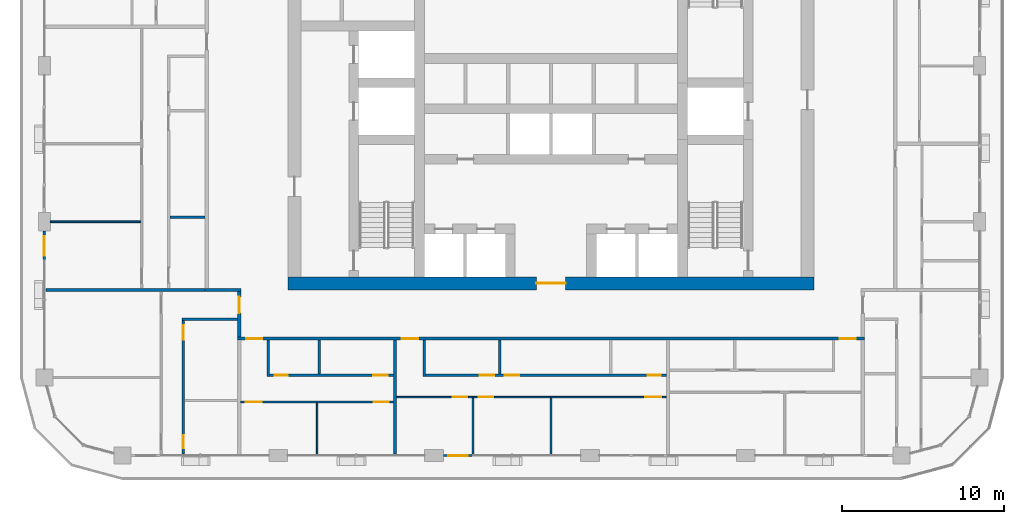
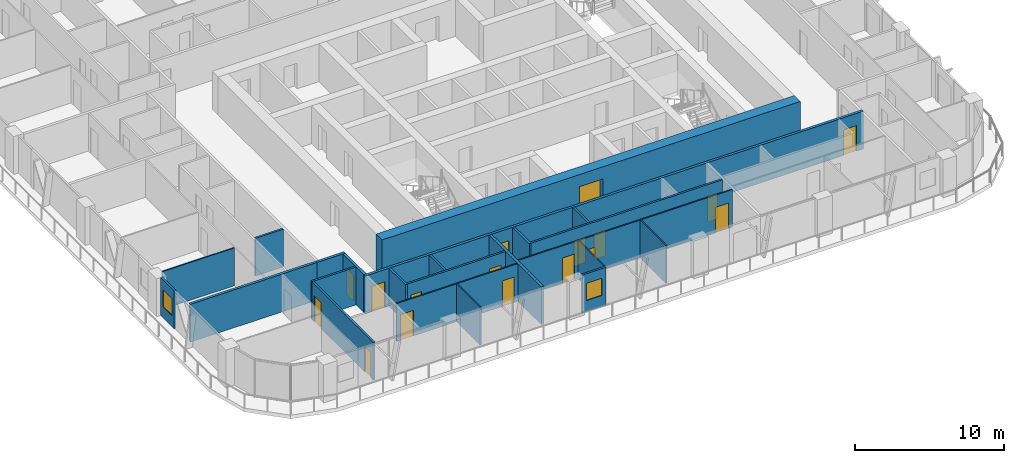
# One storey, part 9 of 22: 23 walls, 17 doors, 2 windows, 19 openings.
"""IFC4 building model written with IfcOpenShell, lengths in metres."""

from ifc_helpers import new_model, si_unit, direction, frame, frame_2d, origin, place, context, subcontext, project, spatial, rectangle, extrude, material, layer, layer_set, type_object, element, fill, save


model = new_model("IFC4")

# Units and contexts
model_context = context("Model", 3, precision=1e-05, world=origin(), true_north=direction((0.0, 1.0)))
body_context = subcontext(model_context, "Body", "Model", "MODEL_VIEW")
ifc_project = project(units=[si_unit("LENGTHUNIT", "METRE"), si_unit("AREAUNIT", "SQUARE_METRE"), si_unit("VOLUMEUNIT", "CUBIC_METRE"), si_unit("PLANEANGLEUNIT", "RADIAN"), si_unit("MASSUNIT", "GRAM", prefix="KILO")], contexts=[model_context])

# Site, building, storey
site_placement = place(None, origin())
site = spatial("IfcSite", under=ifc_project, at=site_placement, CompositionType="ELEMENT")
building_placement = place(site_placement, origin())
building = spatial("IfcBuilding", under=site, at=building_placement, Name="Madar Terraces", CompositionType="ELEMENT")
storey_placement = place(building_placement, frame((0.0, 0.0, 140.10009765625)))
storey = spatial("IfcBuildingStorey", under=building, at=storey_placement, Name="L36", CompositionType="ELEMENT", Elevation=140.10009765625)

# Wall, opening, door
ifc_material_1 = material(Name="Concrete C70/85", Category="concrete")
ifc_layer_1 = layer(ifc_material_1, 0.800048828125)
ifc_layer_set_1 = layer_set([ifc_layer_1], Name="Concrete C70/85 (CRW3 RC wall 800)")
wall_type_1 = type_object("IfcWallType", Name="CRW3 RC wall 800", PredefinedType="SHEAR", material=ifc_layer_set_1)
wall_1_placement = place(storey_placement, frame((15.0, 15.39990234375, 0.0), z_axis=(0.0, 0.0, 1.0), x_axis=(1.0, 0.0, 0.0)))
wall_1 = element("IfcWall", 1, at=wall_1_placement, inside=storey, type_object=wall_type_1, Name="CORE OUTER WALL", PredefinedType="SHEAR", context=body_context, shape_type="SweptSolid", body=[
    extrude(rectangle(XDim=32.39990234375, YDim=0.800048828125, at=frame_2d((16.199951171875, 0.0))), origin(), (0.0, 0.0, 1.0), 3.099853515625),
])
opening_1_placement = place(wall_1_placement, frame((15.300048828125, 0.0, 0.0)))
opening_1 = element("IfcOpeningElement", 2, at=opening_1_placement, cuts=wall_1, Name="Opening KD1", PredefinedType="OPENING", context=body_context, shape_type="SweptSolid", body=[
    extrude(rectangle(XDim=1.800048828125, YDim=2.10009765625, at=frame_2d((0.89990234375, 1.050048828125))), frame((0.0, 0.409912109375, 0.0), z_axis=(0.0, -1.0, 0.0), x_axis=(1.0, 0.0, 0.0)), (0.0, 0.0, 1.0), 0.820068359375),
])
ifc_material_2 = material(Name="Steel door leaf", Category="steel")
door_type_1 = type_object("IfcDoorType", Name="Lobby door pair 1800 x 2100", OperationType="DOUBLE_DOOR_SINGLE_SWING", PredefinedType="DOOR", material=ifc_material_2)
door_1_placement = place(opening_1_placement, frame((1.800048828125, 0.0, 0.0), z_axis=(0.0, 0.0, 1.0), x_axis=(-1.0, 0.0, 0.0)))
door_1 = element("IfcDoor", 3, at=door_1_placement, inside=storey, type_object=door_type_1, Name="LIFT LOBBY DOOR", OperationType="DOUBLE_DOOR_SINGLE_SWING", OverallHeight=2.10009765625, OverallWidth=1.800048828125, PredefinedType="DOOR", context=body_context, shape_type="SweptSolid", body=[
    extrude(rectangle(XDim=1.800048828125, YDim=2.10009765625, at=frame_2d((0.89990234375, 1.050048828125))), frame((0.0, 0.02490234375, 0.0), z_axis=(0.0, -1.0, 0.0), x_axis=(1.0, 0.0, 0.0)), (0.0, 0.0, 1.0), 0.050048828125),
])
fill(opening_1, door_1)

# Wall, opening, window
ifc_material_3 = material(Name="Aluminium composite panel, black, over insulated backing", Category="aluminium")
ifc_layer_2 = layer(ifc_material_3, 0.14990234375)
ifc_layer_set_2 = layer_set([ifc_layer_2], Name="Facade bay panel 150")
wall_type_2 = type_object("IfcWallType", Name="Facade bay panel 150", PredefinedType="SOLIDWALL", material=ifc_layer_set_2)
wall_2_placement = place(storey_placement, frame((24.574951171875, 4.800048828125, 0.0), z_axis=(0.0, 0.0, 1.0), x_axis=(1.0, 0.0, 0.0)))
wall_2 = element("IfcWall", 4, at=wall_2_placement, inside=storey, type_object=wall_type_2, Name="Facade bay panel", PredefinedType="SOLIDWALL", context=body_context, shape_type="SweptSolid", body=[
    extrude(rectangle(XDim=1.824951171875, YDim=0.14990234375, at=frame_2d((0.91259765625, 0.0))), origin(), (0.0, 0.0, 1.0), 3.099853515625),
])
opening_2_placement = place(wall_2_placement, frame((0.3125, 0.0, 0.89990234375)))
opening_2 = element("IfcOpeningElement", 5, at=opening_2_placement, cuts=wall_2, Name="Opening W1", PredefinedType="OPENING", context=body_context, shape_type="SweptSolid", body=[
    extrude(rectangle(XDim=1.199951171875, YDim=1.39990234375, at=frame_2d((0.60009765625, 0.699951171875))), frame((0.0, 0.0849609375, 0.0), z_axis=(0.0, -1.0, 0.0), x_axis=(1.0, 0.0, 0.0)), (0.0, 0.0, 1.0), 0.169921875),
])
ifc_material_4 = material(Name="Glass, clear, with black aluminium frame", Category="aluminium")
window_type = type_object("IfcWindowType", Name="Vent window 1200 x 1400", PartitioningType="SINGLE_PANEL", PredefinedType="WINDOW", material=ifc_material_4)
window_1_placement = place(opening_2_placement, origin())
window_1 = element("IfcWindow", 6, at=window_1_placement, inside=storey, type_object=window_type, Name="Operable vent window", OverallHeight=1.39990234375, OverallWidth=1.199951171875, PartitioningType="SINGLE_PANEL", PredefinedType="WINDOW", context=body_context, shape_type="SweptSolid", body=[
    extrude(rectangle(XDim=1.199951171875, YDim=1.39990234375, at=frame_2d((0.60009765625, 0.699951171875))), frame((0.0, 0.030029296875, 0.0), z_axis=(0.0, -1.0, 0.0), x_axis=(1.0, 0.0, 0.0)), (0.0, 0.0, 1.0), 0.06005859375),
])
fill(opening_2, window_1)

wall_3_placement = place(storey_placement, frame((0.0, 18.625, 0.0), z_axis=(0.0, 0.0, 1.0), x_axis=(0.0, -1.0, 0.0)))
wall_3 = element("IfcWall", 7, at=wall_3_placement, inside=storey, type_object=wall_type_2, Name="Facade bay panel", PredefinedType="SOLIDWALL", context=body_context, shape_type="SweptSolid", body=[
    extrude(rectangle(XDim=1.824951171875, YDim=0.14990234375, at=frame_2d((0.91259765625, 0.0))), origin(), (0.0, 0.0, 1.0), 3.099853515625),
])
opening_3_placement = place(wall_3_placement, frame((0.3125, 0.0, 0.89990234375)))
opening_3 = element("IfcOpeningElement", 8, at=opening_3_placement, cuts=wall_3, Name="Opening W1", PredefinedType="OPENING", context=body_context, shape_type="SweptSolid", body=[
    extrude(rectangle(XDim=1.199951171875, YDim=1.39990234375, at=frame_2d((0.60009765625, 0.699951171875))), frame((0.0, 0.0849609375, 0.0), z_axis=(0.0, -1.0, 0.0), x_axis=(1.0, 0.0, 0.0)), (0.0, 0.0, 1.0), 0.169921875),
])
window_2_placement = place(opening_3_placement, origin())
window_2 = element("IfcWindow", 9, at=window_2_placement, inside=storey, type_object=window_type, Name="Operable vent window", OverallHeight=1.39990234375, OverallWidth=1.199951171875, PartitioningType="SINGLE_PANEL", PredefinedType="WINDOW", context=body_context, shape_type="SweptSolid", body=[
    extrude(rectangle(XDim=1.199951171875, YDim=1.39990234375, at=frame_2d((0.60009765625, 0.699951171875))), frame((0.0, 0.030029296875, 0.0), z_axis=(0.0, -1.0, 0.0), x_axis=(1.0, 0.0, 0.0)), (0.0, 0.0, 1.0), 0.06005859375),
])
fill(opening_3, window_2)

# Wall
ifc_material_5 = material(Name="Gypsum board on steel studs", Category="steel")
ifc_layer_3 = layer(ifc_material_5, 0.10009765625)
ifc_layer_set_3 = layer_set([ifc_layer_3], Name="Flat partition 100")
wall_type_3 = type_object("IfcWallType", Name="Flat partition 100", PredefinedType="PARTITIONING", material=ifc_layer_set_3)
wall_4_placement = place(storey_placement, frame((16.800048828125, 8.050048828125, 0.0), z_axis=(0.0, 0.0, 1.0), x_axis=(0.0, -1.0, 0.0)))
element("IfcWall", 10, at=wall_4_placement, inside=storey, type_object=wall_type_3, Name="Flat partition 100", PredefinedType="PARTITIONING", context=body_context, shape_type="SweptSolid", body=[
    extrude(rectangle(XDim=3.150146484375, YDim=0.10009765625, at=frame_2d((1.5751953125, 0.0))), origin(), (0.0, 0.0, 1.0), 3.099853515625),
])

# Wall, openings, doors
wall_5_placement = place(storey_placement, frame((21.5, 8.10009765625, 0.0), z_axis=(0.0, 0.0, 1.0), x_axis=(-1.0, 0.0, 0.0)))
wall_5 = element("IfcWall", 11, at=wall_5_placement, inside=storey, type_object=wall_type_3, Name="Flat partition 100", PredefinedType="PARTITIONING", context=body_context, shape_type="SweptSolid", body=[
    extrude(rectangle(XDim=9.39990234375, YDim=0.10009765625, at=frame_2d((4.699951171875, 0.0))), origin(), (0.0, 0.0, 1.0), 3.099853515625),
])
opening_4_placement = place(wall_5_placement, frame((8.10009765625, 0.0, 0.0)))
opening_4 = element("IfcOpeningElement", 12, at=opening_4_placement, cuts=wall_5, Name="Opening D3", PredefinedType="OPENING", context=body_context, shape_type="SweptSolid", body=[
    extrude(rectangle(XDim=1.0, YDim=2.10009765625, at=frame_2d((0.5, 1.050048828125))), frame((0.0, 0.06005859375, 0.0), z_axis=(0.0, -1.0, 0.0), x_axis=(1.0, 0.0, 0.0)), (0.0, 0.0, 1.0), 0.1201171875),
])
opening_5_placement = place(wall_5_placement, frame((0.300048828125, 0.0, 0.0)))
opening_5 = element("IfcOpeningElement", 13, at=opening_5_placement, cuts=wall_5, Name="Opening D2", PredefinedType="OPENING", context=body_context, shape_type="SweptSolid", body=[
    extrude(rectangle(XDim=0.89990234375, YDim=2.10009765625, at=frame_2d((0.449951171875, 1.050048828125))), frame((0.0, 0.06005859375, 0.0), z_axis=(0.0, -1.0, 0.0), x_axis=(1.0, 0.0, 0.0)), (0.0, 0.0, 1.0), 0.1201171875),
])
ifc_material_6 = material(Name="Timber door leaf", Category="wood")
door_type_2 = type_object("IfcDoorType", Name="Flat living room door 1000", OperationType="NOTDEFINED", PredefinedType="DOOR", material=ifc_material_6)
door_2_placement = place(opening_4_placement, origin())
door_2 = element("IfcDoor", 14, at=door_2_placement, inside=storey, type_object=door_type_2, Name="Flat living room door 1000", OperationType="SINGLE_SWING_RIGHT", OverallHeight=2.10009765625, OverallWidth=1.0, PredefinedType="DOOR", context=body_context, shape_type="SweptSolid", body=[
    extrude(rectangle(XDim=1.0, YDim=2.10009765625, at=frame_2d((0.5, 1.050048828125))), frame((0.0, 0.02490234375, 0.0), z_axis=(0.0, -1.0, 0.0), x_axis=(1.0, 0.0, 0.0)), (0.0, 0.0, 1.0), 0.050048828125),
])
fill(opening_4, door_2)
ifc_material_7 = material(Name="Timber door leaf", Category="wood")
door_type_3 = type_object("IfcDoorType", Name="Flat room door 900", OperationType="NOTDEFINED", PredefinedType="DOOR", material=ifc_material_7)
door_3_placement = place(opening_5_placement, origin())
door_3 = element("IfcDoor", 15, at=door_3_placement, inside=storey, type_object=door_type_3, Name="Flat room door 900", OperationType="SINGLE_SWING_LEFT", OverallHeight=2.10009765625, OverallWidth=0.89990234375, PredefinedType="DOOR", context=body_context, shape_type="SweptSolid", body=[
    extrude(rectangle(XDim=0.89990234375, YDim=2.10009765625, at=frame_2d((0.449951171875, 1.050048828125))), frame((0.0, 0.02490234375, 0.0), z_axis=(0.0, -1.0, 0.0), x_axis=(1.0, 0.0, 0.0)), (0.0, 0.0, 1.0), 0.050048828125),
])
fill(opening_5, door_3)

# Walls
for number, where, z_axis, x_axis, name in (
    (16, (26.39990234375, 8.35009765625, 0.0), (0.0, 0.0, 1.0), (0.0, -1.0, 0.0), "Flat partition 100"),
    (17, (31.199951171875, 8.35009765625, 0.0), (0.0, 0.0, 1.0), (0.0, -1.0, 0.0), "Flat partition 100"),
):
    element("IfcWall", number, at=place(storey_placement, frame(where, z_axis=z_axis, x_axis=x_axis)), inside=storey, type_object=wall_type_3, Name=name, PredefinedType="PARTITIONING", context=body_context, shape_type="SweptSolid", body=[
        extrude(rectangle(XDim=3.4501953125, YDim=0.10009765625, at=frame_2d((1.72509765625, 0.0))), origin(), (0.0, 0.0, 1.0), 3.099853515625),
    ])

# Wall, openings, doors
wall_6_placement = place(storey_placement, frame((38.300048828125, 8.39990234375, 0.0), z_axis=(0.0, 0.0, 1.0), x_axis=(-1.0, 0.0, 0.0)))
wall_6 = element("IfcWall", 18, at=wall_6_placement, inside=storey, type_object=wall_type_3, Name="Flat partition 100", PredefinedType="PARTITIONING", context=body_context, shape_type="SweptSolid", body=[
    extrude(rectangle(XDim=16.60009765625, YDim=0.10009765625, at=frame_2d((8.300048828125, 0.0))), origin(), (0.0, 0.0, 1.0), 3.099853515625),
])
opening_6_placement = place(wall_6_placement, frame((12.25, 0.0, 0.0)))
opening_6 = element("IfcOpeningElement", 19, at=opening_6_placement, cuts=wall_6, Name="Opening D2", PredefinedType="OPENING", context=body_context, shape_type="SweptSolid", body=[
    extrude(rectangle(XDim=0.89990234375, YDim=2.10009765625, at=frame_2d((0.449951171875, 1.050048828125))), frame((0.0, 0.06005859375, 0.0), z_axis=(0.0, -1.0, 0.0), x_axis=(1.0, 0.0, 0.0)), (0.0, 0.0, 1.0), 0.1201171875),
])
opening_7_placement = place(wall_6_placement, frame((10.64990234375, 0.0, 0.0)))
opening_7 = element("IfcOpeningElement", 20, at=opening_7_placement, cuts=wall_6, Name="Opening D2", PredefinedType="OPENING", context=body_context, shape_type="SweptSolid", body=[
    extrude(rectangle(XDim=0.89990234375, YDim=2.10009765625, at=frame_2d((0.449951171875, 1.050048828125))), frame((0.0, 0.06005859375, 0.0), z_axis=(0.0, -1.0, 0.0), x_axis=(1.0, 0.0, 0.0)), (0.0, 0.0, 1.0), 0.1201171875),
])
opening_8_placement = place(wall_6_placement, frame((0.300048828125, 0.0, 0.0)))
opening_8 = element("IfcOpeningElement", 21, at=opening_8_placement, cuts=wall_6, Name="Opening D3", PredefinedType="OPENING", context=body_context, shape_type="SweptSolid", body=[
    extrude(rectangle(XDim=1.0, YDim=2.10009765625, at=frame_2d((0.5, 1.050048828125))), frame((0.0, 0.06005859375, 0.0), z_axis=(0.0, -1.0, 0.0), x_axis=(1.0, 0.0, 0.0)), (0.0, 0.0, 1.0), 0.1201171875),
])
door_4_placement = place(opening_8_placement, origin())
door_4 = element("IfcDoor", 22, at=door_4_placement, inside=storey, type_object=door_type_2, Name="Flat living room door 1000", OperationType="SINGLE_SWING_LEFT", OverallHeight=2.10009765625, OverallWidth=1.0, PredefinedType="DOOR", context=body_context, shape_type="SweptSolid", body=[
    extrude(rectangle(XDim=1.0, YDim=2.10009765625, at=frame_2d((0.5, 1.050048828125))), frame((0.0, 0.02490234375, 0.0), z_axis=(0.0, -1.0, 0.0), x_axis=(1.0, 0.0, 0.0)), (0.0, 0.0, 1.0), 0.050048828125),
])
fill(opening_8, door_4)
door_5_placement = place(opening_6_placement, origin())
door_5 = element("IfcDoor", 23, at=door_5_placement, inside=storey, type_object=door_type_3, Name="Flat room door 900", OperationType="SINGLE_SWING_LEFT", OverallHeight=2.10009765625, OverallWidth=0.89990234375, PredefinedType="DOOR", context=body_context, shape_type="SweptSolid", body=[
    extrude(rectangle(XDim=0.89990234375, YDim=2.10009765625, at=frame_2d((0.449951171875, 1.050048828125))), frame((0.0, 0.02490234375, 0.0), z_axis=(0.0, -1.0, 0.0), x_axis=(1.0, 0.0, 0.0)), (0.0, 0.0, 1.0), 0.050048828125),
])
fill(opening_6, door_5)
door_6_placement = place(opening_7_placement, origin())
door_6 = element("IfcDoor", 24, at=door_6_placement, inside=storey, type_object=door_type_3, Name="Flat room door 900", OperationType="SINGLE_SWING_RIGHT", OverallHeight=2.10009765625, OverallWidth=0.89990234375, PredefinedType="DOOR", context=body_context, shape_type="SweptSolid", body=[
    extrude(rectangle(XDim=0.89990234375, YDim=2.10009765625, at=frame_2d((0.449951171875, 1.050048828125))), frame((0.0, 0.02490234375, 0.0), z_axis=(0.0, -1.0, 0.0), x_axis=(1.0, 0.0, 0.0)), (0.0, 0.0, 1.0), 0.050048828125),
])
fill(opening_7, door_6)

# Wall
wall_7_placement = place(storey_placement, frame((5.949951171875, 19.199951171875, 0.0), z_axis=(0.0, 0.0, 1.0), x_axis=(-1.0, 0.0, 0.0)))
element("IfcWall", 25, at=wall_7_placement, inside=storey, type_object=wall_type_3, Name="Flat partition 100", PredefinedType="PARTITIONING", context=body_context, shape_type="SweptSolid", body=[
    extrude(rectangle(XDim=5.574951171875, YDim=0.10009765625, at=frame_2d((2.78759765625, 0.0))), origin(), (0.0, 0.0, 1.0), 3.099853515625),
])

# Wall, openings, doors
ifc_material_8 = material(Name="Lightweight blockwork", Category="masonry")
ifc_layer_4 = layer(ifc_material_8, 0.199951171875)
ifc_layer_set_4 = layer_set([ifc_layer_4], Name="Flat party and entrance wall 200")
wall_type_4 = type_object("IfcWallType", Name="Flat party and entrance wall 200", PredefinedType="PARTITIONING", material=ifc_layer_set_4)
wall_8_placement = place(storey_placement, frame((50.5, 12.0, 0.0), z_axis=(0.0, 0.0, 1.0), x_axis=(-1.0, 0.0, 0.0)))
wall_8 = element("IfcWall", 26, at=wall_8_placement, inside=storey, type_object=wall_type_4, Name="Flat party and entrance wall 200", PredefinedType="PARTITIONING", context=body_context, shape_type="SweptSolid", body=[
    extrude(rectangle(XDim=38.60009765625, YDim=0.199951171875, at=frame_2d((19.300048828125, 0.0))), origin(), (0.0, 0.0, 1.0), 3.099853515625),
])
opening_9_placement = place(wall_8_placement, frame((37.074951171875, 0.0, 0.0)))
opening_9 = element("IfcOpeningElement", 27, at=opening_9_placement, cuts=wall_8, Name="Opening D1", PredefinedType="OPENING", context=body_context, shape_type="SweptSolid", body=[
    extrude(rectangle(XDim=1.0, YDim=2.10009765625, at=frame_2d((0.5, 1.050048828125))), frame((0.0, 0.10986328125, 0.0), z_axis=(0.0, -1.0, 0.0), x_axis=(1.0, 0.0, 0.0)), (0.0, 0.0, 1.0), 0.219970703125),
])
opening_10_placement = place(wall_8_placement, frame((27.47509765625, 0.0, 0.0)))
opening_10 = element("IfcOpeningElement", 28, at=opening_10_placement, cuts=wall_8, Name="Opening D1", PredefinedType="OPENING", context=body_context, shape_type="SweptSolid", body=[
    extrude(rectangle(XDim=1.0, YDim=2.10009765625, at=frame_2d((0.5, 1.050048828125))), frame((0.0, 0.10986328125, 0.0), z_axis=(0.0, -1.0, 0.0), x_axis=(1.0, 0.0, 0.0)), (0.0, 0.0, 1.0), 0.219970703125),
])
opening_11_placement = place(wall_8_placement, frame((0.52490234375, 0.0, 0.0)))
opening_11 = element("IfcOpeningElement", 29, at=opening_11_placement, cuts=wall_8, Name="Opening D1", PredefinedType="OPENING", context=body_context, shape_type="SweptSolid", body=[
    extrude(rectangle(XDim=1.0, YDim=2.10009765625, at=frame_2d((0.5, 1.050048828125))), frame((0.0, 0.10986328125, 0.0), z_axis=(0.0, -1.0, 0.0), x_axis=(1.0, 0.0, 0.0)), (0.0, 0.0, 1.0), 0.219970703125),
])
ifc_material_9 = material(Name="Timber fire door leaf", Category="wood")
door_type_4 = type_object("IfcDoorType", Name="Flat entrance door 1000 FD30S", OperationType="NOTDEFINED", PredefinedType="DOOR", material=ifc_material_9)
door_7_placement = place(opening_9_placement, origin())
door_7 = element("IfcDoor", 30, at=door_7_placement, inside=storey, type_object=door_type_4, Name="Flat entrance door 1000 FD30S", OperationType="SINGLE_SWING_RIGHT", OverallHeight=2.10009765625, OverallWidth=1.0, PredefinedType="DOOR", context=body_context, shape_type="SweptSolid", body=[
    extrude(rectangle(XDim=1.0, YDim=2.10009765625, at=frame_2d((0.5, 1.050048828125))), frame((0.0, 0.02490234375, 0.0), z_axis=(0.0, -1.0, 0.0), x_axis=(1.0, 0.0, 0.0)), (0.0, 0.0, 1.0), 0.050048828125),
])
fill(opening_9, door_7)
door_8_placement = place(opening_10_placement, origin())
door_8 = element("IfcDoor", 31, at=door_8_placement, inside=storey, type_object=door_type_4, Name="Flat entrance door 1000 FD30S", OperationType="SINGLE_SWING_RIGHT", OverallHeight=2.10009765625, OverallWidth=1.0, PredefinedType="DOOR", context=body_context, shape_type="SweptSolid", body=[
    extrude(rectangle(XDim=1.0, YDim=2.10009765625, at=frame_2d((0.5, 1.050048828125))), frame((0.0, 0.02490234375, 0.0), z_axis=(0.0, -1.0, 0.0), x_axis=(1.0, 0.0, 0.0)), (0.0, 0.0, 1.0), 0.050048828125),
])
fill(opening_10, door_8)
door_9_placement = place(opening_11_placement, origin())
door_9 = element("IfcDoor", 32, at=door_9_placement, inside=storey, type_object=door_type_4, Name="Flat entrance door 1000 FD30S", OperationType="SINGLE_SWING_LEFT", OverallHeight=2.10009765625, OverallWidth=1.0, PredefinedType="DOOR", context=body_context, shape_type="SweptSolid", body=[
    extrude(rectangle(XDim=1.0, YDim=2.10009765625, at=frame_2d((0.5, 1.050048828125))), frame((0.0, 0.02490234375, 0.0), z_axis=(0.0, -1.0, 0.0), x_axis=(1.0, 0.0, 0.0)), (0.0, 0.0, 1.0), 0.050048828125),
])
fill(opening_11, door_9)

# Wall
wall_9_placement = place(storey_placement, frame((9.89990234375, 15.0, 0.0), z_axis=(0.0, 0.0, 1.0), x_axis=(1.0, 0.0, 0.0)))
element("IfcWall", 33, at=wall_9_placement, inside=storey, type_object=wall_type_4, Name="Flat party and entrance wall 200", PredefinedType="PARTITIONING", context=body_context, shape_type="SweptSolid", body=[
    extrude(rectangle(XDim=2.2001953125, YDim=0.199951171875, at=frame_2d((1.10009765625, 0.0))), origin(), (0.0, 0.0, 1.0), 3.099853515625),
])

# Wall, opening, door
wall_10_placement = place(storey_placement, frame((12.0, 12.10009765625, 0.0), z_axis=(0.0, 0.0, 1.0), x_axis=(0.0, 1.0, 0.0)))
wall_10 = element("IfcWall", 34, at=wall_10_placement, inside=storey, type_object=wall_type_4, Name="Flat party and entrance wall 200", PredefinedType="PARTITIONING", context=body_context, shape_type="SweptSolid", body=[
    extrude(rectangle(XDim=2.7998046875, YDim=0.199951171875, at=frame_2d((1.39990234375, 0.0))), origin(), (0.0, 0.0, 1.0), 3.099853515625),
])
opening_12_placement = place(wall_10_placement, frame((1.47509765625, 0.0, 0.0)))
opening_12 = element("IfcOpeningElement", 35, at=opening_12_placement, cuts=wall_10, Name="Opening D1", PredefinedType="OPENING", context=body_context, shape_type="SweptSolid", body=[
    extrude(rectangle(XDim=1.0, YDim=2.10009765625, at=frame_2d((0.5, 1.050048828125))), frame((0.0, 0.10986328125, 0.0), z_axis=(0.0, -1.0, 0.0), x_axis=(1.0, 0.0, 0.0)), (0.0, 0.0, 1.0), 0.219970703125),
])
door_10_placement = place(opening_12_placement, origin())
door_10 = element("IfcDoor", 36, at=door_10_placement, inside=storey, type_object=door_type_4, Name="Flat entrance door 1000 FD30S", OperationType="SINGLE_SWING_RIGHT", OverallHeight=2.10009765625, OverallWidth=1.0, PredefinedType="DOOR", context=body_context, shape_type="SweptSolid", body=[
    extrude(rectangle(XDim=1.0, YDim=2.10009765625, at=frame_2d((0.5, 1.050048828125))), frame((0.0, 0.02490234375, 0.0), z_axis=(0.0, -1.0, 0.0), x_axis=(1.0, 0.0, 0.0)), (0.0, 0.0, 1.0), 0.050048828125),
])
fill(opening_12, door_10)

# Walls
wall_11_placement = place(storey_placement, frame((21.60009765625, 11.89990234375, 0.0), z_axis=(0.0, 0.0, 1.0), x_axis=(0.0, -1.0, 0.0)))
element("IfcWall", 37, at=wall_11_placement, inside=storey, type_object=wall_type_4, Name="Flat party and entrance wall 200", PredefinedType="PARTITIONING", context=body_context, shape_type="SweptSolid", body=[
    extrude(rectangle(XDim=7.0, YDim=0.199951171875, at=frame_2d((3.5, 0.0))), origin(), (0.0, 0.0, 1.0), 3.099853515625),
])
wall_12_placement = place(storey_placement, frame((0.10009765625, 15.0, 0.0), z_axis=(0.0, 0.0, 1.0), x_axis=(1.0, 0.0, 0.0)))
element("IfcWall", 38, at=wall_12_placement, inside=storey, type_object=wall_type_4, Name="Flat party and entrance wall 200", PredefinedType="PARTITIONING", context=body_context, shape_type="SweptSolid", body=[
    extrude(rectangle(XDim=9.7998046875, YDim=0.199951171875, at=frame_2d((4.89990234375, 0.0))), origin(), (0.0, 0.0, 1.0), 3.099853515625),
])
ifc_material_10 = material(Name="Lightweight blockwork", Category="masonry")
ifc_layer_5 = layer(ifc_material_10, 0.14990234375)
ifc_layer_set_5 = layer_set([ifc_layer_5], Name="Flat wet-room partition 150")
wall_type_5 = type_object("IfcWallType", Name="Flat wet-room partition 150", PredefinedType="PARTITIONING", material=ifc_layer_set_5)
wall_13_placement = place(storey_placement, frame((16.925048828125, 11.89990234375, 0.0), z_axis=(0.0, 0.0, 1.0), x_axis=(0.0, -1.0, 0.0)))
element("IfcWall", 39, at=wall_13_placement, inside=storey, type_object=wall_type_5, Name="Flat wet-room partition 150", PredefinedType="PARTITIONING", context=body_context, shape_type="SweptSolid", body=[
    extrude(rectangle(XDim=2.074951171875, YDim=0.14990234375, at=frame_2d((1.03759765625, 0.0))), origin(), (0.0, 0.0, 1.0), 3.099853515625),
])
wall_14_placement = place(storey_placement, frame((13.800048828125, 11.89990234375, 0.0), z_axis=(0.0, 0.0, 1.0), x_axis=(0.0, -1.0, 0.0)))
element("IfcWall", 40, at=wall_14_placement, inside=storey, type_object=wall_type_5, Name="Flat wet-room partition 150", PredefinedType="PARTITIONING", context=body_context, shape_type="SweptSolid", body=[
    extrude(rectangle(XDim=2.224853515625, YDim=0.14990234375, at=frame_2d((1.1123046875, 0.0))), origin(), (0.0, 0.0, 1.0), 3.099853515625),
])

# Wall, openings, doors
wall_15_placement = place(storey_placement, frame((13.875, 9.75, 0.0), z_axis=(0.0, 0.0, 1.0), x_axis=(1.0, 0.0, 0.0)))
wall_15 = element("IfcWall", 41, at=wall_15_placement, inside=storey, type_object=wall_type_5, Name="Flat wet-room partition 150", PredefinedType="PARTITIONING", context=body_context, shape_type="SweptSolid", body=[
    extrude(rectangle(XDim=7.625, YDim=0.14990234375, at=frame_2d((3.8125, 0.0))), origin(), (0.0, 0.0, 1.0), 3.099853515625),
])
opening_13_placement = place(wall_15_placement, frame((0.300048828125, 0.0, 0.0)))
opening_13 = element("IfcOpeningElement", 42, at=opening_13_placement, cuts=wall_15, Name="Opening D4", PredefinedType="OPENING", context=body_context, shape_type="SweptSolid", body=[
    extrude(rectangle(XDim=0.800048828125, YDim=2.10009765625, at=frame_2d((0.39990234375, 1.050048828125))), frame((0.0, 0.0849609375, 0.0), z_axis=(0.0, -1.0, 0.0), x_axis=(1.0, 0.0, 0.0)), (0.0, 0.0, 1.0), 0.169921875),
])
opening_14_placement = place(wall_15_placement, frame((6.375, 0.0, 0.0)))
opening_14 = element("IfcOpeningElement", 43, at=opening_14_placement, cuts=wall_15, Name="Opening D2", PredefinedType="OPENING", context=body_context, shape_type="SweptSolid", body=[
    extrude(rectangle(XDim=0.89990234375, YDim=2.10009765625, at=frame_2d((0.449951171875, 1.050048828125))), frame((0.0, 0.0849609375, 0.0), z_axis=(0.0, -1.0, 0.0), x_axis=(1.0, 0.0, 0.0)), (0.0, 0.0, 1.0), 0.169921875),
])
ifc_material_11 = material(Name="Timber door leaf", Category="wood")
door_type_5 = type_object("IfcDoorType", Name="Flat bathroom door 800", OperationType="NOTDEFINED", PredefinedType="DOOR", material=ifc_material_11)
door_11_placement = place(opening_13_placement, origin())
door_11 = element("IfcDoor", 44, at=door_11_placement, inside=storey, type_object=door_type_5, Name="Flat bathroom door 800", OperationType="SINGLE_SWING_LEFT", OverallHeight=2.10009765625, OverallWidth=0.800048828125, PredefinedType="DOOR", context=body_context, shape_type="SweptSolid", body=[
    extrude(rectangle(XDim=0.800048828125, YDim=2.10009765625, at=frame_2d((0.39990234375, 1.050048828125))), frame((0.0, 0.02490234375, 0.0), z_axis=(0.0, -1.0, 0.0), x_axis=(1.0, 0.0, 0.0)), (0.0, 0.0, 1.0), 0.050048828125),
])
fill(opening_13, door_11)
door_12_placement = place(opening_14_placement, origin())
door_12 = element("IfcDoor", 45, at=door_12_placement, inside=storey, type_object=door_type_3, Name="Flat room door 900", OperationType="SINGLE_SWING_RIGHT", OverallHeight=2.10009765625, OverallWidth=0.89990234375, PredefinedType="DOOR", context=body_context, shape_type="SweptSolid", body=[
    extrude(rectangle(XDim=0.89990234375, YDim=2.10009765625, at=frame_2d((0.449951171875, 1.050048828125))), frame((0.0, 0.02490234375, 0.0), z_axis=(0.0, -1.0, 0.0), x_axis=(1.0, 0.0, 0.0)), (0.0, 0.0, 1.0), 0.050048828125),
])
fill(opening_14, door_12)

# Walls
wall_16_placement = place(storey_placement, frame((28.03662109375, 11.89990234375, 0.0), z_axis=(0.0, 0.0, 1.0), x_axis=(0.0, -1.0, 0.0)))
element("IfcWall", 46, at=wall_16_placement, inside=storey, type_object=wall_type_5, Name="Flat wet-room partition 150", PredefinedType="PARTITIONING", context=body_context, shape_type="SweptSolid", body=[
    extrude(rectangle(XDim=2.074951171875, YDim=0.14990234375, at=frame_2d((1.03759765625, 0.0))), origin(), (0.0, 0.0, 1.0), 3.099853515625),
])
wall_17_placement = place(storey_placement, frame((23.39990234375, 11.89990234375, 0.0), z_axis=(0.0, 0.0, 1.0), x_axis=(0.0, -1.0, 0.0)))
element("IfcWall", 47, at=wall_17_placement, inside=storey, type_object=wall_type_5, Name="Flat wet-room partition 150", PredefinedType="PARTITIONING", context=body_context, shape_type="SweptSolid", body=[
    extrude(rectangle(XDim=2.224853515625, YDim=0.14990234375, at=frame_2d((1.1123046875, 0.0))), origin(), (0.0, 0.0, 1.0), 3.099853515625),
])

# Wall, openings, doors
wall_18_placement = place(storey_placement, frame((23.47509765625, 9.75, 0.0), z_axis=(0.0, 0.0, 1.0), x_axis=(1.0, 0.0, 0.0)))
wall_18 = element("IfcWall", 48, at=wall_18_placement, inside=storey, type_object=wall_type_5, Name="Flat wet-room partition 150", PredefinedType="PARTITIONING", context=body_context, shape_type="SweptSolid", body=[
    extrude(rectangle(XDim=14.824951171875, YDim=0.14990234375, at=frame_2d((7.41259765625, 0.0))), origin(), (0.0, 0.0, 1.0), 3.099853515625),
])
opening_15_placement = place(wall_18_placement, frame((3.33642578125, 0.0, 0.0)))
opening_15 = element("IfcOpeningElement", 49, at=opening_15_placement, cuts=wall_18, Name="Opening D5", PredefinedType="OPENING", context=body_context, shape_type="SweptSolid", body=[
    extrude(rectangle(XDim=0.89990234375, YDim=2.10009765625, at=frame_2d((0.449951171875, 1.050048828125))), frame((0.0, 0.0849609375, 0.0), z_axis=(0.0, -1.0, 0.0), x_axis=(1.0, 0.0, 0.0)), (0.0, 0.0, 1.0), 0.169921875),
])
opening_16_placement = place(wall_18_placement, frame((4.886474609375, 0.0, 0.0)))
opening_16 = element("IfcOpeningElement", 50, at=opening_16_placement, cuts=wall_18, Name="Opening D2", PredefinedType="OPENING", context=body_context, shape_type="SweptSolid", body=[
    extrude(rectangle(XDim=0.89990234375, YDim=2.10009765625, at=frame_2d((0.449951171875, 1.050048828125))), frame((0.0, 0.0849609375, 0.0), z_axis=(0.0, -1.0, 0.0), x_axis=(1.0, 0.0, 0.0)), (0.0, 0.0, 1.0), 0.169921875),
])
opening_17_placement = place(wall_18_placement, frame((13.675048828125, 0.0, 0.0)))
opening_17 = element("IfcOpeningElement", 51, at=opening_17_placement, cuts=wall_18, Name="Opening D4", PredefinedType="OPENING", context=body_context, shape_type="SweptSolid", body=[
    extrude(rectangle(XDim=0.800048828125, YDim=2.10009765625, at=frame_2d((0.39990234375, 1.050048828125))), frame((0.0, 0.0849609375, 0.0), z_axis=(0.0, -1.0, 0.0), x_axis=(1.0, 0.0, 0.0)), (0.0, 0.0, 1.0), 0.169921875),
])
ifc_material_12 = material(Name="Timber door leaf", Category="wood")
door_type_6 = type_object("IfcDoorType", Name="Flat accessible bathroom door 900", OperationType="NOTDEFINED", PredefinedType="DOOR", material=ifc_material_12)
door_13_placement = place(opening_15_placement, origin())
door_13 = element("IfcDoor", 52, at=door_13_placement, inside=storey, type_object=door_type_6, Name="Flat accessible bathroom door 900", OperationType="SINGLE_SWING_RIGHT", OverallHeight=2.10009765625, OverallWidth=0.89990234375, PredefinedType="DOOR", context=body_context, shape_type="SweptSolid", body=[
    extrude(rectangle(XDim=0.89990234375, YDim=2.10009765625, at=frame_2d((0.449951171875, 1.050048828125))), frame((0.0, 0.02490234375, 0.0), z_axis=(0.0, -1.0, 0.0), x_axis=(1.0, 0.0, 0.0)), (0.0, 0.0, 1.0), 0.050048828125),
])
fill(opening_15, door_13)
door_14_placement = place(opening_17_placement, origin())
door_14 = element("IfcDoor", 53, at=door_14_placement, inside=storey, type_object=door_type_5, Name="Flat bathroom door 800", OperationType="SINGLE_SWING_RIGHT", OverallHeight=2.10009765625, OverallWidth=0.800048828125, PredefinedType="DOOR", context=body_context, shape_type="SweptSolid", body=[
    extrude(rectangle(XDim=0.800048828125, YDim=2.10009765625, at=frame_2d((0.39990234375, 1.050048828125))), frame((0.0, 0.02490234375, 0.0), z_axis=(0.0, -1.0, 0.0), x_axis=(1.0, 0.0, 0.0)), (0.0, 0.0, 1.0), 0.050048828125),
])
fill(opening_17, door_14)
door_15_placement = place(opening_16_placement, origin())
door_15 = element("IfcDoor", 54, at=door_15_placement, inside=storey, type_object=door_type_3, Name="Flat room door 900", OperationType="SINGLE_SWING_LEFT", OverallHeight=2.10009765625, OverallWidth=0.89990234375, PredefinedType="DOOR", context=body_context, shape_type="SweptSolid", body=[
    extrude(rectangle(XDim=0.89990234375, YDim=2.10009765625, at=frame_2d((0.449951171875, 1.050048828125))), frame((0.0, 0.02490234375, 0.0), z_axis=(0.0, -1.0, 0.0), x_axis=(1.0, 0.0, 0.0)), (0.0, 0.0, 1.0), 0.050048828125),
])
fill(opening_16, door_15)

# Walls
wall_19_placement = place(storey_placement, frame((9.89990234375, 19.476806640625, 0.0), z_axis=(0.0, 0.0, 1.0), x_axis=(-1.0, 0.0, 0.0)))
element("IfcWall", 55, at=wall_19_placement, inside=storey, type_object=wall_type_5, Name="Flat wet-room partition 150", PredefinedType="PARTITIONING", context=body_context, shape_type="SweptSolid", body=[
    extrude(rectangle(XDim=2.1748046875, YDim=0.14990234375, at=frame_2d((1.08740234375, 0.0))), origin(), (0.0, 0.0, 1.0), 3.099853515625),
])
wall_20_placement = place(storey_placement, frame((11.89990234375, 13.199951171875, 0.0), z_axis=(0.0, 0.0, 1.0), x_axis=(-1.0, 0.0, 0.0)))
element("IfcWall", 56, at=wall_20_placement, inside=storey, type_object=wall_type_5, Name="Flat wet-room partition 150", PredefinedType="PARTITIONING", context=body_context, shape_type="SweptSolid", body=[
    extrude(rectangle(XDim=3.4248046875, YDim=0.14990234375, at=frame_2d((1.71240234375, 0.0))), origin(), (0.0, 0.0, 1.0), 3.099853515625),
])

# Wall, openings, doors
wall_21_placement = place(storey_placement, frame((8.550048828125, 13.125, 0.0), z_axis=(0.0, 0.0, 1.0), x_axis=(0.0, -1.0, 0.0)))
wall_21 = element("IfcWall", 57, at=wall_21_placement, inside=storey, type_object=wall_type_5, Name="Flat wet-room partition 150", PredefinedType="PARTITIONING", context=body_context, shape_type="SweptSolid", body=[
    extrude(rectangle(XDim=8.22509765625, YDim=0.14990234375, at=frame_2d((4.112548828125, 0.0))), origin(), (0.0, 0.0, 1.0), 3.099853515625),
])
opening_18_placement = place(wall_21_placement, frame((0.300048828125, 0.0, 0.0)))
opening_18 = element("IfcOpeningElement", 58, at=opening_18_placement, cuts=wall_21, Name="Opening D2", PredefinedType="OPENING", context=body_context, shape_type="SweptSolid", body=[
    extrude(rectangle(XDim=0.89990234375, YDim=2.10009765625, at=frame_2d((0.449951171875, 1.050048828125))), frame((0.0, 0.0849609375, 0.0), z_axis=(0.0, -1.0, 0.0), x_axis=(1.0, 0.0, 0.0)), (0.0, 0.0, 1.0), 0.169921875),
])
opening_19_placement = place(wall_21_placement, frame((7.074951171875, 0.0, 0.0)))
opening_19 = element("IfcOpeningElement", 59, at=opening_19_placement, cuts=wall_21, Name="Opening D4", PredefinedType="OPENING", context=body_context, shape_type="SweptSolid", body=[
    extrude(rectangle(XDim=0.800048828125, YDim=2.10009765625, at=frame_2d((0.39990234375, 1.050048828125))), frame((0.0, 0.0849609375, 0.0), z_axis=(0.0, -1.0, 0.0), x_axis=(1.0, 0.0, 0.0)), (0.0, 0.0, 1.0), 0.169921875),
])
door_16_placement = place(opening_19_placement, origin())
door_16 = element("IfcDoor", 60, at=door_16_placement, inside=storey, type_object=door_type_5, Name="Flat bathroom door 800", OperationType="SINGLE_SWING_RIGHT", OverallHeight=2.10009765625, OverallWidth=0.800048828125, PredefinedType="DOOR", context=body_context, shape_type="SweptSolid", body=[
    extrude(rectangle(XDim=0.800048828125, YDim=2.10009765625, at=frame_2d((0.39990234375, 1.050048828125))), frame((0.0, 0.02490234375, 0.0), z_axis=(0.0, -1.0, 0.0), x_axis=(1.0, 0.0, 0.0)), (0.0, 0.0, 1.0), 0.050048828125),
])
fill(opening_19, door_16)
door_17_placement = place(opening_18_placement, origin())
door_17 = element("IfcDoor", 61, at=door_17_placement, inside=storey, type_object=door_type_3, Name="Flat room door 900", OperationType="SINGLE_SWING_LEFT", OverallHeight=2.10009765625, OverallWidth=0.89990234375, PredefinedType="DOOR", context=body_context, shape_type="SweptSolid", body=[
    extrude(rectangle(XDim=0.89990234375, YDim=2.10009765625, at=frame_2d((0.449951171875, 1.050048828125))), frame((0.0, 0.02490234375, 0.0), z_axis=(0.0, -1.0, 0.0), x_axis=(1.0, 0.0, 0.0)), (0.0, 0.0, 1.0), 0.050048828125),
])
fill(opening_18, door_17)

save(model, "model.ifc")
